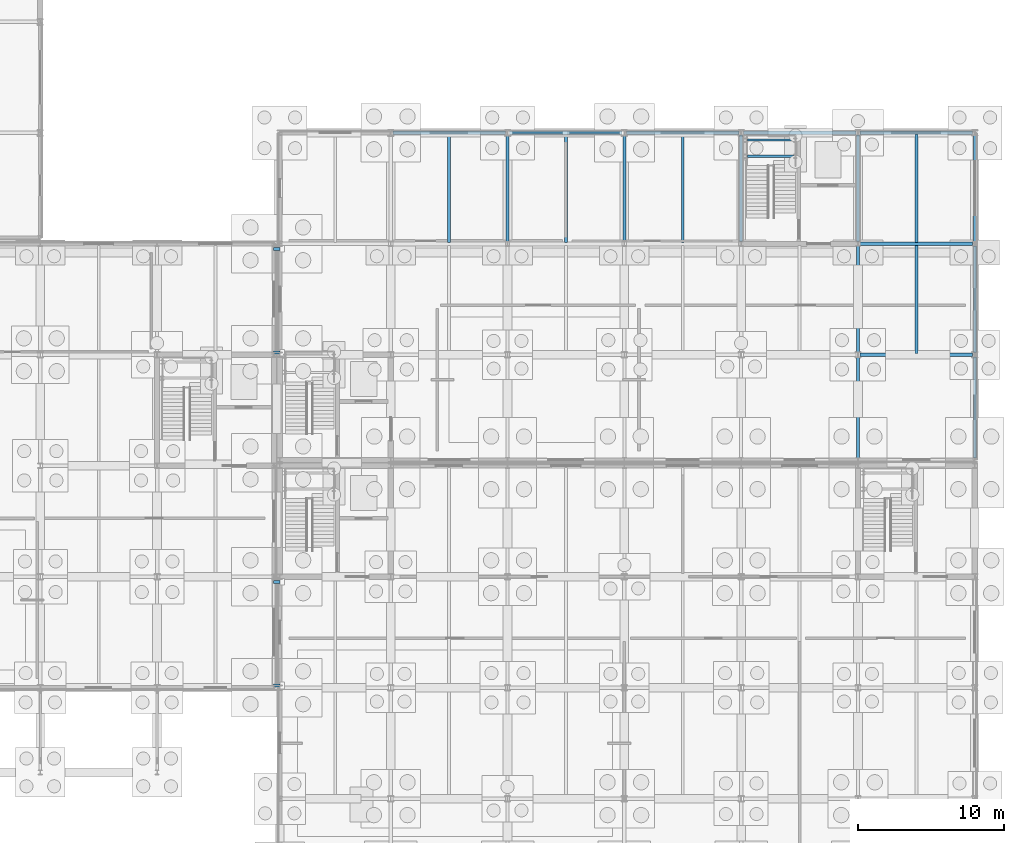
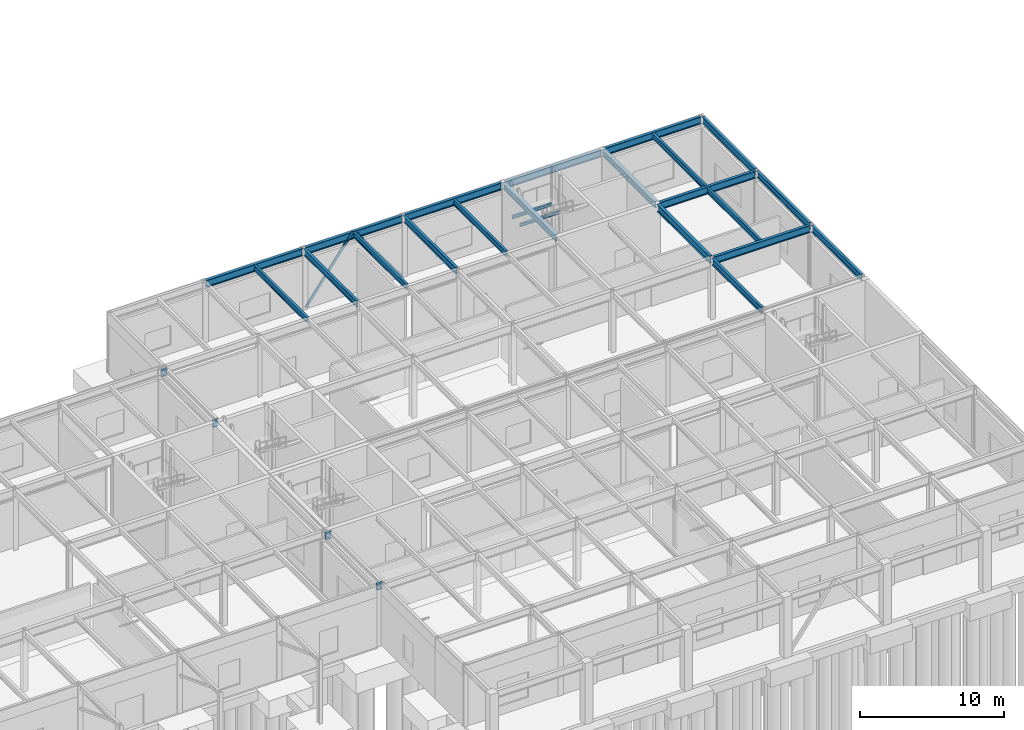
# One storey, part 34 of 62: 27 beams, 2 members.
"""IFC4 building model written with IfcOpenShell, lengths in metres."""

from ifc_helpers import new_model, si_unit, direction, frame, origin, origin_2d, place, context, subcontext, project, spatial, hollow_rectangle, i_section, extrude, material, material_profile, profile_set, type_object, element, save


model = new_model("IFC4")

# Units and contexts
model_context = context("Model", 3, precision=1e-05, world=origin(), true_north=direction((0.0, 1.0)))
body_context = subcontext(model_context, "Body", "Model", "MODEL_VIEW")
ifc_project = project(units=[si_unit("LENGTHUNIT", "METRE"), si_unit("AREAUNIT", "SQUARE_METRE"), si_unit("VOLUMEUNIT", "CUBIC_METRE"), si_unit("PLANEANGLEUNIT", "RADIAN"), si_unit("MASSUNIT", "GRAM", prefix="KILO")], contexts=[model_context])

# Site, building, storey
site_placement = place(None, origin())
site = spatial("IfcSite", under=ifc_project, at=site_placement, CompositionType="ELEMENT")
building_placement = place(site_placement, origin())
building = spatial("IfcBuilding", under=site, at=building_placement, Name="Zulena Civic Courthouse", CompositionType="ELEMENT")
storey_placement = place(building_placement, origin())
storey = spatial("IfcBuildingStorey", under=building, at=storey_placement, Name="L00", CompositionType="ELEMENT", Elevation=0.0)

# Members
ifc_material_1 = material(Name="Steel ASTM A500 Grade C", Category="steel")
ifc_material_profile_1 = material_profile(ifc_material_1, hollow_rectangle(XDim=0.10205078125, YDim=0.202880859375, WallThickness=0.0087890625, at=origin_2d()), Name="HSS8X4X3/8")
ifc_profile_set_1 = profile_set([ifc_material_profile_1], Name="Steel ASTM A500 Grade C")
member_type = type_object("IfcMemberType", Name="Brace_HSS8X4", PredefinedType="BRACE", material=ifc_profile_set_1)
for number, where, z_axis, x_axis, name in (
    (1, (140.14990234375, 53.199951171875, 0.010009765625), (0.593744110518, 0.0, 0.804653920158), (0.0, 1.0, 0.0), "brace:V3:L00:3:0"),
    (2, (147.85009765625, 53.199951171875, 0.010009765625), (-0.593744110518, 0.0, 0.804653920158), (0.0, -1.0, 0.0), "brace:V3:L00:3:1"),
):
    element("IfcMember", number, at=place(storey_placement, frame(where, z_axis=z_axis, x_axis=x_axis)), inside=storey, type_object=member_type, Name=name, PredefinedType="BRACE", context=body_context, shape_type="SweptSolid", body=[
        extrude(hollow_rectangle(XDim=0.10205078125, YDim=0.202880859375, WallThickness=0.0087890625, at=origin_2d()), origin(), (0.0, 0.0, 1.0), 6.400146484375),
    ])

# Beams
ifc_material_2 = material(Name="Steel ASTM A992 Grade 50", Category="steel")
ifc_material_profile_2 = material_profile(ifc_material_2, i_section(OverallWidth=0.2099609375, OverallDepth=0.537109375, WebThickness=0.010986328125, FlangeThickness=0.017333984375, FilletRadius=0.0126953125, at=origin_2d()), Name="W21X68")
ifc_profile_set_2 = profile_set([ifc_material_profile_2], Name="Steel ASTM A992 Grade 50")
beam_type_1 = type_object("IfcBeamType", Name="BridgeGirder_W21X68", PredefinedType="BEAM", material=ifc_profile_set_2)
for number, where, z_axis, x_axis, name in (
    (3, (123.969970703125, 15.35009765625, 4.91650390625), (1.0, 0.0, 0.0), (0.0, 1.0, 0.0), "beam:bridge:BR-41:L01:15.35"),
    (4, (123.969970703125, 22.449951171875, 4.91650390625), (1.0, 0.0, 0.0), (0.0, 1.0, 0.0), "beam:bridge:BR-41:L01:22.45"),
    (5, (123.969970703125, 38.14990234375, 4.91650390625), (1.0, 0.0, 0.0), (0.0, 1.0, 0.0), "beam:bridge:BR-43:L01:38.15"),
    (6, (123.969970703125, 45.25, 4.91650390625), (1.0, 0.0, 0.0), (0.0, 1.0, 0.0), "beam:bridge:BR-43:L01:45.25"),
):
    element("IfcBeam", number, at=place(storey_placement, frame(where, z_axis=z_axis, x_axis=x_axis)), inside=storey, type_object=beam_type_1, Name=name, PredefinedType="BEAM", context=body_context, shape_type="SweptSolid", body=[
        extrude(i_section(OverallWidth=0.2099609375, OverallDepth=0.537109375, WebThickness=0.010986328125, FlangeThickness=0.017333984375, FilletRadius=0.0126953125, at=origin_2d()), origin(), (0.0, 0.0, 1.0), 0.4599609375),
    ])
ifc_material_profile_3 = material_profile(ifc_material_2, i_section(OverallWidth=0.22998046875, OverallDepth=0.616943359375, WebThickness=0.01318359375, FlangeThickness=0.022216796875, FilletRadius=0.0126953125, at=origin_2d()), Name="W24X94")
ifc_profile_set_3 = profile_set([ifc_material_profile_3], Name="Steel ASTM A992 Grade 50")
beam_type_2 = type_object("IfcBeamType", Name="Girder_W24X94", PredefinedType="BEAM", material=ifc_profile_set_3)
beam_1_placement = place(storey_placement, frame((164.0, 38.14501953125, 4.87646484375), z_axis=(0.0, 1.0, 0.0), x_axis=(-1.0, 0.0, 0.0)))
element("IfcBeam", 7, at=beam_1_placement, inside=storey, type_object=beam_type_2, Name="beam:Y:V3:L00:164.0:38.0_45.6", PredefinedType="BEAM", context=body_context, shape_type="SweptSolid", body=[
    extrude(i_section(OverallWidth=0.22998046875, OverallDepth=0.616943359375, WebThickness=0.01318359375, FlangeThickness=0.022216796875, FilletRadius=0.0126953125, at=origin_2d()), origin(), (0.0, 0.0, 1.0), 7.31005859375),
])
ifc_material_profile_4 = material_profile(ifc_material_2, i_section(OverallWidth=0.14599609375, OverallDepth=0.258056640625, WebThickness=0.006103515625, FlangeThickness=0.009033203125, FilletRadius=0.007568359375, at=origin_2d()), Name="W10X22")
ifc_profile_set_4 = profile_set([ifc_material_profile_4], Name="Steel ASTM A992 Grade 50")
beam_type_3 = type_object("IfcBeamType", Name="Joist_W10X22", PredefinedType="JOIST", material=ifc_profile_set_4)
for number, where, z_axis, x_axis, name in (
    (8, (156.419921875, 51.60009765625, 2.291015625), (1.0, 0.0, 0.0), (0.0, 1.0, 0.0), "beam:lnd:K3B:L00:0"),
    (9, (156.419921875, 52.699951171875, 2.291015625), (1.0, 0.0, 0.0), (0.0, 1.0, 0.0), "beam:lnd:K3B:L00:1"),
):
    element("IfcBeam", number, at=place(storey_placement, frame(where, z_axis=z_axis, x_axis=x_axis)), inside=storey, type_object=beam_type_3, Name=name, PredefinedType="JOIST", context=body_context, shape_type="SweptSolid", body=[
        extrude(i_section(OverallWidth=0.14599609375, OverallDepth=0.258056640625, WebThickness=0.006103515625, FlangeThickness=0.009033203125, FilletRadius=0.007568359375, at=origin_2d()), origin(), (0.0, 0.0, 1.0), 3.2001953125),
    ])
ifc_material_profile_5 = material_profile(ifc_material_2, i_section(OverallWidth=0.19091796875, OverallDepth=0.4599609375, WebThickness=0.010009765625, FlangeThickness=0.01611328125, FilletRadius=0.01025390625, at=origin_2d()), Name="W18X55")
ifc_profile_set_5 = profile_set([ifc_material_profile_5], Name="Steel ASTM A992 Grade 50")
beam_type_4 = type_object("IfcBeamType", Name="Joist_W18X55", PredefinedType="JOIST", material=ifc_profile_set_5)
for number, where, z_axis, x_axis, name in (
    (10, (136.0, 45.705078125, 4.955078125), (0.0, 1.0, 0.0), (-1.0, 0.0, 0.0), "joist:V3:L00:136.00:45.6_53.2"),
    (11, (144.0, 45.705078125, 4.955078125), (0.0, 1.0, 0.0), (-1.0, 0.0, 0.0), "joist:V3:L00:144.00:45.6_53.2"),
    (12, (152.0, 45.705078125, 4.955078125), (0.0, 1.0, 0.0), (-1.0, 0.0, 0.0), "joist:V3:L00:152.00:45.6_53.2"),
):
    element("IfcBeam", number, at=place(storey_placement, frame(where, z_axis=z_axis, x_axis=x_axis)), inside=storey, type_object=beam_type_4, Name=name, PredefinedType="JOIST", context=body_context, shape_type="SweptSolid", body=[
        extrude(i_section(OverallWidth=0.19091796875, OverallDepth=0.4599609375, WebThickness=0.010009765625, FlangeThickness=0.01611328125, FilletRadius=0.01025390625, at=origin_2d()), origin(), (0.0, 0.0, 1.0), 7.389892578125),
    ])
beam_2_placement = place(storey_placement, frame((168.0, 38.10498046875, 4.955078125), z_axis=(0.0, 1.0, 0.0), x_axis=(-1.0, 0.0, 0.0)))
element("IfcBeam", 13, at=beam_2_placement, inside=storey, type_object=beam_type_4, Name="joist:V3:L00:168.00:38.0_45.6", PredefinedType="JOIST", context=body_context, shape_type="SweptSolid", body=[
    extrude(i_section(OverallWidth=0.19091796875, OverallDepth=0.4599609375, WebThickness=0.010009765625, FlangeThickness=0.01611328125, FilletRadius=0.01025390625, at=origin_2d()), origin(), (0.0, 0.0, 1.0), 7.39013671875),
])
beam_3_placement = place(storey_placement, frame((168.0, 45.705078125, 4.955078125), z_axis=(0.0, 1.0, 0.0), x_axis=(-1.0, 0.0, 0.0)))
element("IfcBeam", 14, at=beam_3_placement, inside=storey, type_object=beam_type_4, Name="joist:V3:L00:168.00:45.6_53.2", PredefinedType="JOIST", context=body_context, shape_type="SweptSolid", body=[
    extrude(i_section(OverallWidth=0.19091796875, OverallDepth=0.4599609375, WebThickness=0.010009765625, FlangeThickness=0.01611328125, FilletRadius=0.01025390625, at=origin_2d()), origin(), (0.0, 0.0, 1.0), 7.389892578125),
])
ifc_material_profile_6 = material_profile(ifc_material_2, i_section(OverallWidth=0.2099609375, OverallDepth=0.537109375, WebThickness=0.010986328125, FlangeThickness=0.017333984375, FilletRadius=0.0126953125, at=origin_2d()), Name="W21X68")
ifc_profile_set_6 = profile_set([ifc_material_profile_6], Name="Steel ASTM A992 Grade 50")
beam_type_5 = type_object("IfcBeamType", Name="Spandrel_W21X68", PredefinedType="SPANDREL", material=ifc_profile_set_6)
for number, where, z_axis, x_axis, name in (
    (15, (140.0, 45.7451171875, 4.91650390625), (0.0, 1.0, 0.0), (-1.0, 0.0, 0.0), "beam:Y:V3:L00:140.0:45.6_53.2"),
    (16, (148.0, 45.7451171875, 4.91650390625), (0.0, 1.0, 0.0), (-1.0, 0.0, 0.0), "beam:Y:V3:L00:148.0:45.6_53.2"),
    (17, (156.0, 45.7451171875, 4.91650390625), (0.0, 1.0, 0.0), (-1.0, 0.0, 0.0), "beam:Y:V3:L00:156.0:45.6_53.2"),
):
    element("IfcBeam", number, at=place(storey_placement, frame(where, z_axis=z_axis, x_axis=x_axis)), inside=storey, type_object=beam_type_5, Name=name, PredefinedType="SPANDREL", context=body_context, shape_type="SweptSolid", body=[
        extrude(i_section(OverallWidth=0.2099609375, OverallDepth=0.537109375, WebThickness=0.010986328125, FlangeThickness=0.017333984375, FilletRadius=0.0126953125, at=origin_2d()), origin(), (0.0, 0.0, 1.0), 7.309814453125),
    ])
beam_4_placement = place(storey_placement, frame((164.0, 30.945068359375, 4.91650390625), z_axis=(0.0, 1.0, 0.0), x_axis=(-1.0, 0.0, 0.0)))
element("IfcBeam", 18, at=beam_4_placement, inside=storey, type_object=beam_type_5, Name="beam:Y:V3:L00:164.0:30.8_38.0", PredefinedType="SPANDREL", context=body_context, shape_type="SweptSolid", body=[
    extrude(i_section(OverallWidth=0.2099609375, OverallDepth=0.537109375, WebThickness=0.010986328125, FlangeThickness=0.017333984375, FilletRadius=0.0126953125, at=origin_2d()), origin(), (0.0, 0.0, 1.0), 6.909912109375),
])
beam_5_placement = place(storey_placement, frame((164.0, 45.7451171875, 4.91650390625), z_axis=(0.0, 1.0, 0.0), x_axis=(-1.0, 0.0, 0.0)))
element("IfcBeam", 19, at=beam_5_placement, inside=storey, type_object=beam_type_5, Name="beam:Y:V3:L00:164.0:45.6_53.2", PredefinedType="SPANDREL", context=body_context, shape_type="SweptSolid", body=[
    extrude(i_section(OverallWidth=0.2099609375, OverallDepth=0.537109375, WebThickness=0.010986328125, FlangeThickness=0.017333984375, FilletRadius=0.0126953125, at=origin_2d()), origin(), (0.0, 0.0, 1.0), 7.309814453125),
])
beam_6_placement = place(storey_placement, frame((172.0, 30.945068359375, 4.91650390625), z_axis=(0.0, 1.0, 0.0), x_axis=(-1.0, 0.0, 0.0)))
element("IfcBeam", 20, at=beam_6_placement, inside=storey, type_object=beam_type_5, Name="beam:Y:V3:L00:172.0:30.8_38.0", PredefinedType="SPANDREL", context=body_context, shape_type="SweptSolid", body=[
    extrude(i_section(OverallWidth=0.2099609375, OverallDepth=0.537109375, WebThickness=0.010986328125, FlangeThickness=0.017333984375, FilletRadius=0.0126953125, at=origin_2d()), origin(), (0.0, 0.0, 1.0), 6.909912109375),
])
beam_7_placement = place(storey_placement, frame((172.0, 38.14501953125, 4.91650390625), z_axis=(0.0, 1.0, 0.0), x_axis=(-1.0, 0.0, 0.0)))
element("IfcBeam", 21, at=beam_7_placement, inside=storey, type_object=beam_type_5, Name="beam:Y:V3:L00:172.0:38.0_45.6", PredefinedType="SPANDREL", context=body_context, shape_type="SweptSolid", body=[
    extrude(i_section(OverallWidth=0.2099609375, OverallDepth=0.537109375, WebThickness=0.010986328125, FlangeThickness=0.017333984375, FilletRadius=0.0126953125, at=origin_2d()), origin(), (0.0, 0.0, 1.0), 7.31005859375),
])
beam_8_placement = place(storey_placement, frame((172.0, 45.7451171875, 4.91650390625), z_axis=(0.0, 1.0, 0.0), x_axis=(-1.0, 0.0, 0.0)))
element("IfcBeam", 22, at=beam_8_placement, inside=storey, type_object=beam_type_5, Name="beam:Y:V3:L00:172.0:45.6_53.2", PredefinedType="SPANDREL", context=body_context, shape_type="SweptSolid", body=[
    extrude(i_section(OverallWidth=0.2099609375, OverallDepth=0.537109375, WebThickness=0.010986328125, FlangeThickness=0.017333984375, FilletRadius=0.0126953125, at=origin_2d()), origin(), (0.0, 0.0, 1.0), 7.309814453125),
])
ifc_material_profile_7 = material_profile(ifc_material_2, i_section(OverallWidth=0.22998046875, OverallDepth=0.616943359375, WebThickness=0.01318359375, FlangeThickness=0.022216796875, FilletRadius=0.0126953125, at=origin_2d()), Name="W24X94")
ifc_profile_set_7 = profile_set([ifc_material_profile_7], Name="Steel ASTM A992 Grade 50")
beam_type_6 = type_object("IfcBeamType", Name="Spandrel_W24X94", PredefinedType="SPANDREL", material=ifc_profile_set_7)
for number, where, z_axis, x_axis, name in (
    (23, (164.14501953125, 38.0, 4.87646484375), (1.0, 0.0, 0.0), (0.0, 1.0, 0.0), "beam:X:V3:L00:38.0:164.0_172.0"),
    (24, (164.14501953125, 45.60009765625, 4.87646484375), (1.0, 0.0, 0.0), (0.0, 1.0, 0.0), "beam:X:V3:L00:45.6:164.0_172.0"),
    (25, (132.14501953125, 53.199951171875, 4.87646484375), (1.0, 0.0, 0.0), (0.0, 1.0, 0.0), "beam:X:V3:L00:53.2:132.0_140.0"),
    (26, (140.14501953125, 53.199951171875, 4.87646484375), (1.0, 0.0, 0.0), (0.0, 1.0, 0.0), "beam:X:V3:L00:53.2:140.0_148.0"),
    (27, (148.14501953125, 53.199951171875, 4.87646484375), (1.0, 0.0, 0.0), (0.0, 1.0, 0.0), "beam:X:V3:L00:53.2:148.0_156.0"),
    (28, (156.14501953125, 53.199951171875, 4.87646484375), (1.0, 0.0, 0.0), (0.0, 1.0, 0.0), "beam:X:V3:L00:53.2:156.0_164.0"),
    (29, (164.14501953125, 53.199951171875, 4.87646484375), (1.0, 0.0, 0.0), (0.0, 1.0, 0.0), "beam:X:V3:L00:53.2:164.0_172.0"),
):
    element("IfcBeam", number, at=place(storey_placement, frame(where, z_axis=z_axis, x_axis=x_axis)), inside=storey, type_object=beam_type_6, Name=name, PredefinedType="SPANDREL", context=body_context, shape_type="SweptSolid", body=[
        extrude(i_section(OverallWidth=0.22998046875, OverallDepth=0.616943359375, WebThickness=0.01318359375, FlangeThickness=0.022216796875, FilletRadius=0.0126953125, at=origin_2d()), origin(), (0.0, 0.0, 1.0), 7.7099609375),
    ])

save(model, "model.ifc")
